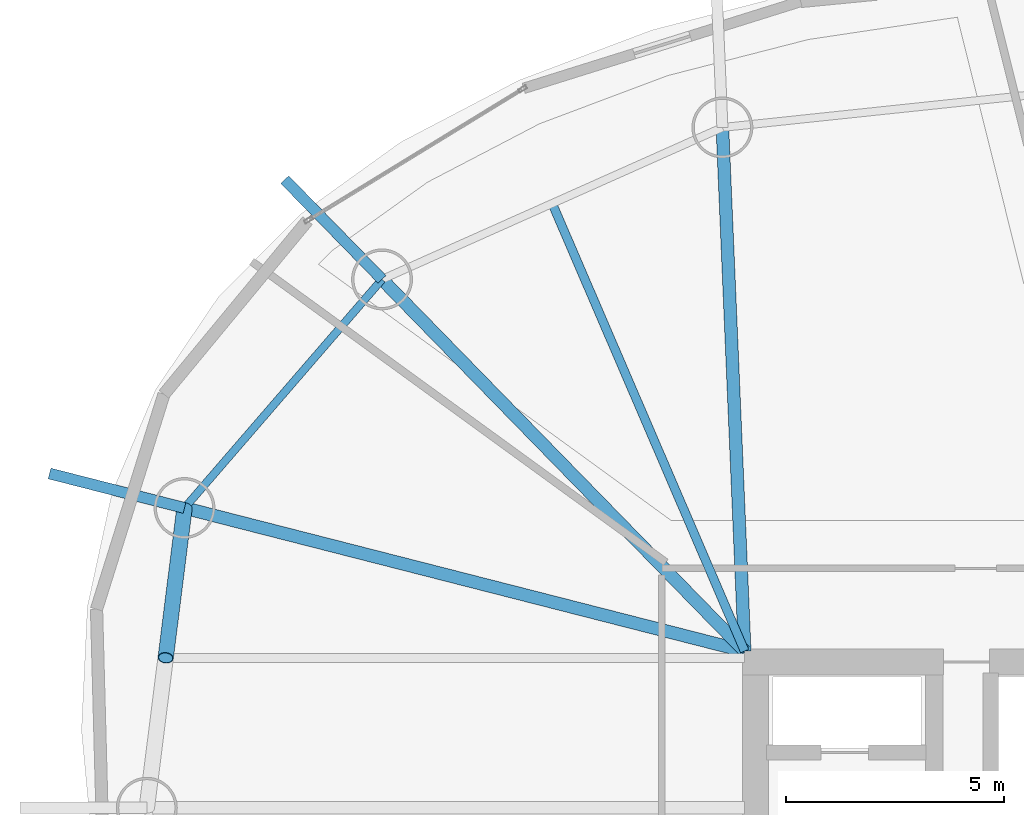
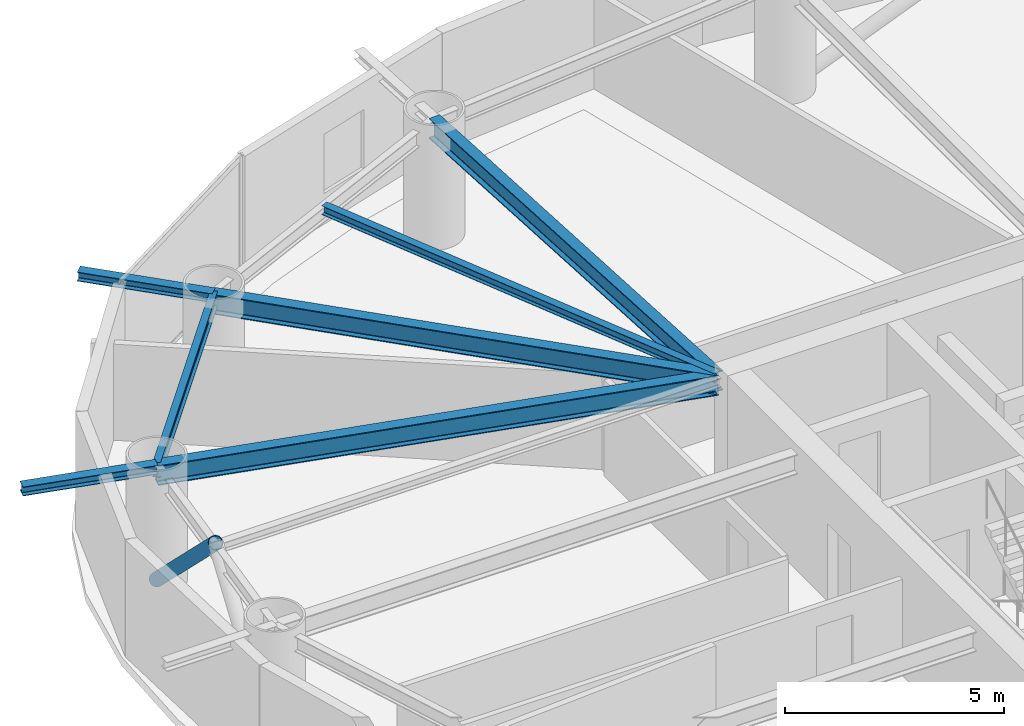
# One storey, part 8 of 20: 7 beams, 1 member.
"""IFC4 building model written with IfcOpenShell, lengths in metres."""

from ifc_helpers import new_model, si_unit, direction, frame, origin, origin_2d, place, context, subcontext, project, spatial, hollow_circle, i_section, extrude, material, material_profile, profile_set, type_object, element, save


model = new_model("IFC4")

# Units and contexts
model_context = context("Model", 3, precision=1e-05, world=origin(), true_north=direction((0.0, 1.0)))
body_context = subcontext(model_context, "Body", "Model", "MODEL_VIEW")
ifc_project = project(units=[si_unit("LENGTHUNIT", "METRE"), si_unit("AREAUNIT", "SQUARE_METRE"), si_unit("VOLUMEUNIT", "CUBIC_METRE"), si_unit("PLANEANGLEUNIT", "RADIAN"), si_unit("MASSUNIT", "GRAM", prefix="KILO")], contexts=[model_context])

# Site, building, storey
site_placement = place(None, origin())
site = spatial("IfcSite", under=ifc_project, at=site_placement, CompositionType="ELEMENT")
building_placement = place(site_placement, origin())
building = spatial("IfcBuilding", under=site, at=building_placement, Name="Bramvorn Convention Spire", CompositionType="ELEMENT")
storey_placement = place(building_placement, frame((0.0, 0.0, 144.800048828125)))
storey = spatial("IfcBuildingStorey", under=building, at=storey_placement, Name="L36", CompositionType="ELEMENT", Elevation=144.800048828125)

# Beams
ifc_material = material(Name="Steel CSA G40.21 Grade 350 (350W)", Category="steel")
ifc_material_profile_1 = material_profile(ifc_material, i_section(OverallWidth=0.201904296875, OverallDepth=0.2470703125, WebThickness=0.00732421875, FlangeThickness=0.010986328125, FilletRadius=0.011962890625, at=origin_2d()))
ifc_profile_set_1 = profile_set([ifc_material_profile_1], Name="Steel CSA G40.21 Grade 350 (350W) - W250X49")
beam_type_1 = type_object("IfcBeamType", Name="BM-W250X49", PredefinedType="JOIST", material=ifc_profile_set_1)
beam_1_placement = place(storey_placement, frame((26.75, 33.449951171875, 3.136474609375), z_axis=(-0.394937739893, 0.918707886985, 0.0), x_axis=(-0.918707886985, -0.394937739893, 0.0)))
element("IfcBeam", 1, at=beam_1_placement, inside=storey, type_object=beam_type_1, Name="L36 composite floor joist 07", PredefinedType="JOIST", context=body_context, shape_type="SweptSolid", body=[
    extrude(i_section(OverallWidth=0.201904296875, OverallDepth=0.2470703125, WebThickness=0.00732421875, FlangeThickness=0.010986328125, FilletRadius=0.011962890625, at=origin_2d()), origin(), (0.0, 0.0, 1.0), 11.19384765625),
])
ifc_material_profile_2 = material_profile(ifc_material, i_section(OverallWidth=0.25390625, OverallDepth=0.2529296875, WebThickness=0.008544921875, FlangeThickness=0.01416015625, FilletRadius=0.011962890625, at=origin_2d()))
ifc_profile_set_2 = profile_set([ifc_material_profile_2], Name="Steel CSA G40.21 Grade 350 (350W) - W250X73")
beam_type_2 = type_object("IfcBeamType", Name="BM-W250X73", PredefinedType="BEAM", material=ifc_profile_set_2)
for number, where, z_axis, x_axis, name in (
    (2, (18.420166015625, 41.9892578125, 3.133544921875), (-0.69827808588, 0.715826595468, 0.0), (-0.715826595468, -0.69827808588, 0.0), "L36 slab-edge cantilever tip beam MC08"),
    (3, (13.88232421875, 36.73779296875, 3.133544921875), (-0.968868276357, 0.24757678217, 0.0), (-0.24757678217, -0.968868276357, 0.0), "L36 slab-edge cantilever tip beam MC09"),
):
    element("IfcBeam", number, at=place(storey_placement, frame(where, z_axis=z_axis, x_axis=x_axis)), inside=storey, type_object=beam_type_2, Name=name, PredefinedType="BEAM", context=body_context, shape_type="SweptSolid", body=[
        extrude(i_section(OverallWidth=0.25390625, OverallDepth=0.2529296875, WebThickness=0.008544921875, FlangeThickness=0.01416015625, FilletRadius=0.011962890625, at=origin_2d()), origin(), (0.0, 0.0, 1.0), 3.199951171875),
    ])
ifc_material_profile_3 = material_profile(ifc_material, i_section(OverallWidth=0.180908203125, OverallDepth=0.4169921875, WebThickness=0.010986328125, FlangeThickness=0.018310546875, FilletRadius=0.01611328125, at=origin_2d()))
ifc_profile_set_3 = profile_set([ifc_material_profile_3], Name="Steel CSA G40.21 Grade 350 (350W) - W410X85")
beam_type_3 = type_object("IfcBeamType", Name="BM-W410X85", PredefinedType="JOIST", material=ifc_profile_set_3)
beam_2_placement = place(storey_placement, frame((18.420166015625, 41.9892578125, 3.051513671875), z_axis=(-0.653824993824, -0.756645807132, 0.0), x_axis=(0.756645807132, -0.653824993824, 0.0)))
element("IfcBeam", 4, at=beam_2_placement, inside=storey, type_object=beam_type_3, Name="L36 mega-column ring beam 08", PredefinedType="JOIST", context=body_context, shape_type="SweptSolid", body=[
    extrude(i_section(OverallWidth=0.180908203125, OverallDepth=0.4169921875, WebThickness=0.010986328125, FlangeThickness=0.018310546875, FilletRadius=0.01611328125, at=origin_2d()), origin(), (0.0, 0.0, 1.0), 6.9404296875),
])
ifc_material_profile_4 = material_profile(ifc_material, i_section(OverallWidth=0.2919921875, OverallDepth=0.551025390625, WebThickness=0.01513671875, FlangeThickness=0.0244140625, FilletRadius=0.01904296875, at=origin_2d()))
ifc_profile_set_4 = profile_set([ifc_material_profile_4], Name="Steel CSA G40.21 Grade 350 (350W) - W530X182")
beam_type_4 = type_object("IfcBeamType", Name="BM-W530X182", PredefinedType="BEAM", material=ifc_profile_set_4)
beam_3_placement = place(storey_placement, frame((26.75, 33.449951171875, 2.984375), z_axis=(-0.042502657955, 0.999096353745, 0.0), x_axis=(-0.999096353745, -0.042502657955, 0.0)))
element("IfcBeam", 5, at=beam_3_placement, inside=storey, type_object=beam_type_4, Name="L36 radial floor girder MC07", PredefinedType="BEAM", context=body_context, shape_type="SweptSolid", body=[
    extrude(i_section(OverallWidth=0.2919921875, OverallDepth=0.551025390625, WebThickness=0.01513671875, FlangeThickness=0.0244140625, FilletRadius=0.01904296875, at=origin_2d()), origin(), (0.0, 0.0, 1.0), 12.039794921875),
])
beam_4_placement = place(storey_placement, frame((26.75, 33.449951171875, 2.984375), z_axis=(-0.698272445638, 0.715832097397, 0.0), x_axis=(-0.715832097397, -0.698272445638, 0.0)))
element("IfcBeam", 6, at=beam_4_placement, inside=storey, type_object=beam_type_4, Name="L36 radial floor girder MC08", PredefinedType="BEAM", context=body_context, shape_type="SweptSolid", body=[
    extrude(i_section(OverallWidth=0.2919921875, OverallDepth=0.551025390625, WebThickness=0.01513671875, FlangeThickness=0.0244140625, FilletRadius=0.01904296875, at=origin_2d()), origin(), (0.0, 0.0, 1.0), 11.92919921875),
])
beam_5_placement = place(storey_placement, frame((26.75, 33.449951171875, 2.984375), z_axis=(-0.968872976577, 0.247558387576, 0.0), x_axis=(-0.247558387576, -0.968872976577, 0.0)))
element("IfcBeam", 7, at=beam_5_placement, inside=storey, type_object=beam_type_4, Name="L36 radial floor girder MC09", PredefinedType="BEAM", context=body_context, shape_type="SweptSolid", body=[
    extrude(i_section(OverallWidth=0.2919921875, OverallDepth=0.551025390625, WebThickness=0.01513671875, FlangeThickness=0.0244140625, FilletRadius=0.01904296875, at=origin_2d()), origin(), (0.0, 0.0, 1.0), 13.281005859375),
])

# Member
ifc_material_profile_5 = material_profile(ifc_material, hollow_circle(Radius=0.177734375, WallThickness=0.015869140625, at=origin_2d()))
ifc_profile_set_5 = profile_set([ifc_material_profile_5], Name="Steel CSA G40.21 Grade 350 (350W) - CHS356X16")
member_type = type_object("IfcMemberType", Name="MBR-CHS356X16", PredefinedType="BRACE", material=ifc_profile_set_5)
member_placement = place(storey_placement, frame((13.88232421875, 36.73779296875, 0.0), z_axis=(-0.090912229428, -0.723144484842, 0.684687534999), x_axis=(0.992189958039, -0.124736070028, 0.0)))
element("IfcMember", 8, at=member_placement, inside=storey, type_object=member_type, Name="L36 perimeter Gothic lancet brace 9A", PredefinedType="BRACE", context=body_context, shape_type="SweptSolid", body=[
    extrude(hollow_circle(Radius=0.177734375, WallThickness=0.015869140625, at=origin_2d()), origin(), (0.0, 0.0, 1.0), 4.76123046875),
])

save(model, "model.ifc")
